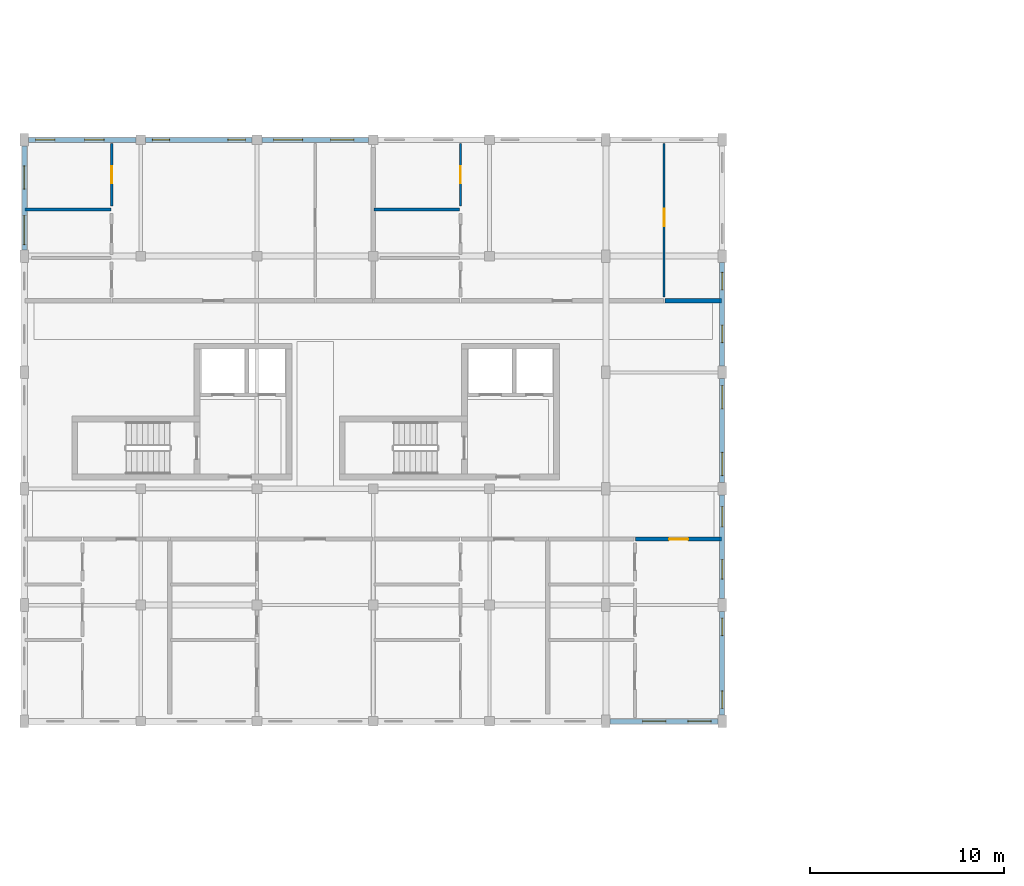
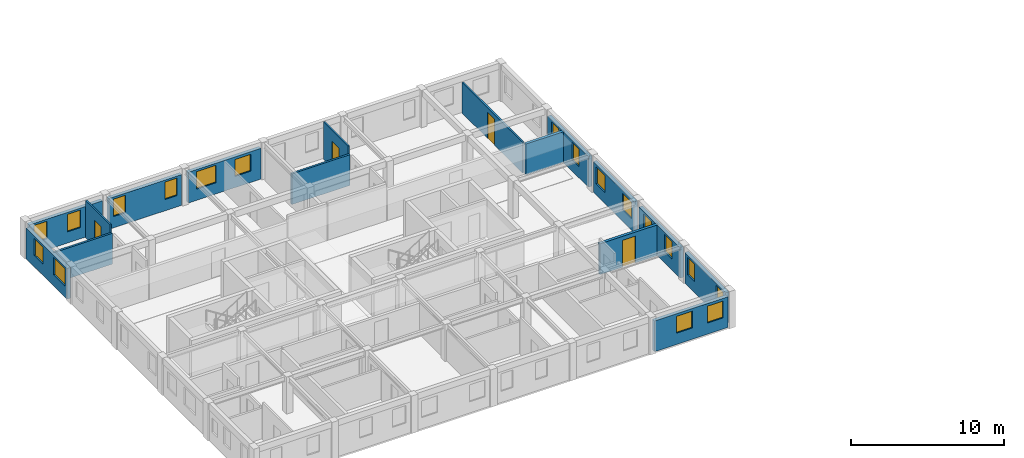
# One storey, part 7 of 23: 18 windows, 16 walls, 4 doors, 22 openings.
"""IFC4 building model written with IfcOpenShell, lengths in metres."""

from ifc_helpers import new_model, si_unit, direction, frame, frame_2d, origin, place, context, subcontext, project, spatial, rectangle, extrude, material, layer, layer_set, type_object, element, fill, save


model = new_model("IFC4")

# Units and contexts
model_context = context("Model", 3, precision=1e-05, world=origin(), true_north=direction((0.0, 1.0)))
body_context = subcontext(model_context, "Body", "Model", "MODEL_VIEW")
ifc_project = project(units=[si_unit("LENGTHUNIT", "METRE"), si_unit("AREAUNIT", "SQUARE_METRE"), si_unit("VOLUMEUNIT", "CUBIC_METRE"), si_unit("PLANEANGLEUNIT", "RADIAN"), si_unit("MASSUNIT", "GRAM", prefix="KILO"), si_unit("POWERUNIT", "WATT"), si_unit("THERMODYNAMICTEMPERATUREUNIT", "KELVIN")], contexts=[model_context])

# Site, building, storey
site_placement = place(None, origin())
site = spatial("IfcSite", under=ifc_project, at=site_placement, CompositionType="ELEMENT")
building_placement = place(site_placement, origin())
building = spatial("IfcBuilding", under=site, at=building_placement, Name="Ruvembo Vaulted Housing Court", CompositionType="ELEMENT")
storey_placement = place(building_placement, frame((0.0, 0.0, 26.89990234375)))
storey = spatial("IfcBuildingStorey", under=building, at=storey_placement, Name="L08", CompositionType="ELEMENT", Elevation=26.89990234375)

# Wall, opening, door
ifc_material_1 = material(Name="Concrete Blockwork 210", Category="masonry")
ifc_layer_1 = layer(ifc_material_1, 0.2099609375, Name="Concrete Blockwork 210")
ifc_layer_set_1 = layer_set([ifc_layer_1], Name="Concrete Blockwork 210")
wall_type_1 = type_object("IfcWallType", Name="WL-CORR-210", PredefinedType="SOLIDWALL", material=ifc_layer_set_1)
wall_1_placement = place(storey_placement, frame((31.5400390625, 15.39990234375, 0.0), z_axis=(0.0, 0.0, 1.0), x_axis=(1.0, 0.0, 0.0)))
wall_1 = element("IfcWall", 1, at=wall_1_placement, inside=storey, type_object=wall_type_1, Name="L08 Flat A-L08-S4 Entrance WL-INT-L08-02042", PredefinedType="SOLIDWALL", context=body_context, shape_type="SweptSolid", body=[
    extrude(rectangle(XDim=4.419921875, YDim=0.2099609375, at=frame_2d((2.2099609375, 0.0))), origin(), (0.0, 0.0, 1.0), 2.462158203125),
])
opening_1_placement = place(wall_1_placement, frame((1.719970703125, 0.0, 0.0)))
opening_1 = element("IfcOpeningElement", 2, at=opening_1_placement, cuts=wall_1, Name="Opening FD2", PredefinedType="OPENING", context=body_context, shape_type="SweptSolid", body=[
    extrude(rectangle(XDim=0.97998046875, YDim=2.14990234375, at=frame_2d((0.489990234375, 1.074951171875))), frame((0.0, 0.114990234375, 0.0), z_axis=(0.0, -1.0, 0.0), x_axis=(1.0, 0.0, 0.0)), (0.0, 0.0, 1.0), 0.22998046875),
])
ifc_material_2 = material(Name="FSC Hardwood and Engineered Timber", Category="wood")
door_type_1 = type_object("IfcDoorType", Name="DR-FLAT-0980x2150", OperationType="NOTDEFINED", PredefinedType="DOOR", material=ifc_material_2)
door_1_placement = place(opening_1_placement, origin())
door_1 = element("IfcDoor", 3, at=door_1_placement, inside=storey, type_object=door_type_1, Name="L08 Flat A-L08-S4 Entrance Door DR-INT-L08-01141", OperationType="SINGLE_SWING_LEFT", OverallHeight=2.14990234375, OverallWidth=0.97998046875, PredefinedType="DOOR", context=body_context, shape_type="SweptSolid", body=[
    extrude(rectangle(XDim=0.97998046875, YDim=2.14990234375, at=frame_2d((0.489990234375, 1.074951171875))), frame((0.0, 0.02490234375, 0.0), z_axis=(0.0, -1.0, 0.0), x_axis=(1.0, 0.0, 0.0)), (0.0, 0.0, 1.0), 0.050048828125),
])
fill(opening_1, door_1)

# Wall
wall_2_placement = place(storey_placement, frame((33.0400390625, 27.699951171875, 0.0), z_axis=(0.0, 0.0, 1.0), x_axis=(1.0, 0.0, 0.0)))
element("IfcWall", 4, at=wall_2_placement, inside=storey, type_object=wall_type_1, Name="L08 Flat A-L08-N2 Corridor Wall 2 WL-INT-L08-02065", PredefinedType="SOLIDWALL", context=body_context, shape_type="SweptSolid", body=[
    extrude(rectangle(XDim=2.919921875, YDim=0.2099609375, at=frame_2d((1.4599609375, 0.0))), origin(), (0.0, 0.0, 1.0), 2.462158203125),
])

# Wall, openings, windows
ifc_material_3 = material(Name="Rendered Masonry 260", Category="masonry")
ifc_layer_2 = layer(ifc_material_3, 0.260009765625, Name="Rendered Masonry 260")
ifc_layer_set_2 = layer_set([ifc_layer_2], Name="Rendered Masonry 260")
wall_type_2 = type_object("IfcWallType", Name="WL-EXT-260", PredefinedType="STANDARD", material=ifc_layer_set_2)
wall_3_placement = place(storey_placement, frame((30.22509765625, 6.0, 0.0), z_axis=(0.0, 0.0, 1.0), x_axis=(1.0, 0.0, 0.0)))
wall_3 = element("IfcWall", 5, at=wall_3_placement, inside=storey, type_object=wall_type_2, Name="Block A L08 Exterior Wall STREET #6", PredefinedType="STANDARD", context=body_context, shape_type="SweptSolid", body=[
    extrude(rectangle(XDim=5.5498046875, YDim=0.260009765625, at=frame_2d((2.77490234375, 0.0))), origin(), (0.0, 0.0, 1.0), 2.462158203125),
])
opening_2_placement = place(wall_3_placement, frame((1.6650390625, 0.0, 0.89990234375)))
opening_2 = element("IfcOpeningElement", 6, at=opening_2_placement, cuts=wall_3, Name="Opening W12", PredefinedType="OPENING", context=body_context, shape_type="SweptSolid", body=[
    extrude(rectangle(XDim=1.199951171875, YDim=1.35009765625, at=frame_2d((0.60009765625, 0.675048828125))), frame((0.0, 0.139892578125, 0.0), z_axis=(0.0, -1.0, 0.0), x_axis=(1.0, 0.0, 0.0)), (0.0, 0.0, 1.0), 0.280029296875),
])
opening_3_placement = place(wall_3_placement, frame((4.0, 0.0, 0.89990234375)))
opening_3 = element("IfcOpeningElement", 7, at=opening_3_placement, cuts=wall_3, Name="Opening W12", PredefinedType="OPENING", context=body_context, shape_type="SweptSolid", body=[
    extrude(rectangle(XDim=1.199951171875, YDim=1.35009765625, at=frame_2d((0.60009765625, 0.675048828125))), frame((0.0, 0.139892578125, 0.0), z_axis=(0.0, -1.0, 0.0), x_axis=(1.0, 0.0, 0.0)), (0.0, 0.0, 1.0), 0.280029296875),
])
ifc_material_4 = material(Name="Double Solar-Control Glazing in Aluminium Frame", Category="aluminium")
window_type_1 = type_object("IfcWindowType", Name="WIN-1200x1350", PartitioningType="SINGLE_PANEL", PredefinedType="WINDOW", material=ifc_material_4)
window_1_placement = place(opening_2_placement, origin())
window_1 = element("IfcWindow", 8, at=window_1_placement, inside=storey, type_object=window_type_1, Name="Block A L08 Window #352", OverallHeight=1.35009765625, OverallWidth=1.199951171875, PartitioningType="SINGLE_PANEL", PredefinedType="WINDOW", context=body_context, shape_type="SweptSolid", body=[
    extrude(rectangle(XDim=1.199951171875, YDim=1.35009765625, at=frame_2d((0.60009765625, 0.675048828125))), frame((0.0, 0.030029296875, 0.0), z_axis=(0.0, -1.0, 0.0), x_axis=(1.0, 0.0, 0.0)), (0.0, 0.0, 1.0), 0.06005859375),
])
fill(opening_2, window_1)
window_2_placement = place(opening_3_placement, origin())
window_2 = element("IfcWindow", 9, at=window_2_placement, inside=storey, type_object=window_type_1, Name="Block A L08 Window #353", OverallHeight=1.35009765625, OverallWidth=1.199951171875, PartitioningType="SINGLE_PANEL", PredefinedType="WINDOW", context=body_context, shape_type="SweptSolid", body=[
    extrude(rectangle(XDim=1.199951171875, YDim=1.35009765625, at=frame_2d((0.60009765625, 0.675048828125))), frame((0.0, 0.030029296875, 0.0), z_axis=(0.0, -1.0, 0.0), x_axis=(1.0, 0.0, 0.0)), (0.0, 0.0, 1.0), 0.06005859375),
])
fill(opening_3, window_2)

wall_4_placement = place(storey_placement, frame((36.0, 6.324951171875, 0.0), z_axis=(0.0, 0.0, 1.0), x_axis=(0.0, 1.0, 0.0)))
wall_4 = element("IfcWall", 10, at=wall_4_placement, inside=storey, type_object=wall_type_2, Name="Block A L08 Exterior Wall EAST #1", PredefinedType="STANDARD", context=body_context, shape_type="SweptSolid", body=[
    extrude(rectangle(XDim=5.35009765625, YDim=0.260009765625, at=frame_2d((2.675048828125, 0.0))), origin(), (0.0, 0.0, 1.0), 2.462158203125),
])
opening_4_placement = place(wall_4_placement, frame((0.35009765625, 0.0, 0.89990234375)))
opening_4 = element("IfcOpeningElement", 11, at=opening_4_placement, cuts=wall_4, Name="Opening W05", PredefinedType="OPENING", context=body_context, shape_type="SweptSolid", body=[
    extrude(rectangle(XDim=0.89990234375, YDim=1.39990234375, at=frame_2d((0.449951171875, 0.699951171875))), frame((0.0, 0.139892578125, 0.0), z_axis=(0.0, -1.0, 0.0), x_axis=(1.0, 0.0, 0.0)), (0.0, 0.0, 1.0), 0.280029296875),
])
opening_5_placement = place(wall_4_placement, frame((4.10009765625, 0.0, 0.89990234375)))
opening_5 = element("IfcOpeningElement", 12, at=opening_5_placement, cuts=wall_4, Name="Opening W05", PredefinedType="OPENING", context=body_context, shape_type="SweptSolid", body=[
    extrude(rectangle(XDim=0.89990234375, YDim=1.39990234375, at=frame_2d((0.449951171875, 0.699951171875))), frame((0.0, 0.139892578125, 0.0), z_axis=(0.0, -1.0, 0.0), x_axis=(1.0, 0.0, 0.0)), (0.0, 0.0, 1.0), 0.280029296875),
])
window_type_2 = type_object("IfcWindowType", Name="WIN-0900x1400", PartitioningType="SINGLE_PANEL", PredefinedType="WINDOW", material=ifc_material_4)
window_3_placement = place(opening_4_placement, origin())
window_3 = element("IfcWindow", 13, at=window_3_placement, inside=storey, type_object=window_type_2, Name="Block A L08 Window #354", OverallHeight=1.39990234375, OverallWidth=0.89990234375, PartitioningType="SINGLE_PANEL", PredefinedType="WINDOW", context=body_context, shape_type="SweptSolid", body=[
    extrude(rectangle(XDim=0.89990234375, YDim=1.39990234375, at=frame_2d((0.449951171875, 0.699951171875))), frame((0.0, 0.030029296875, 0.0), z_axis=(0.0, -1.0, 0.0), x_axis=(1.0, 0.0, 0.0)), (0.0, 0.0, 1.0), 0.06005859375),
])
fill(opening_4, window_3)
window_4_placement = place(opening_5_placement, origin())
window_4 = element("IfcWindow", 14, at=window_4_placement, inside=storey, type_object=window_type_2, Name="Block A L08 Window #355", OverallHeight=1.39990234375, OverallWidth=0.89990234375, PartitioningType="SINGLE_PANEL", PredefinedType="WINDOW", context=body_context, shape_type="SweptSolid", body=[
    extrude(rectangle(XDim=0.89990234375, YDim=1.39990234375, at=frame_2d((0.449951171875, 0.699951171875))), frame((0.0, 0.030029296875, 0.0), z_axis=(0.0, -1.0, 0.0), x_axis=(1.0, 0.0, 0.0)), (0.0, 0.0, 1.0), 0.06005859375),
])
fill(opening_5, window_4)

wall_5_placement = place(storey_placement, frame((36.0, 12.324951171875, 0.0), z_axis=(0.0, 0.0, 1.0), x_axis=(0.0, 1.0, 0.0)))
wall_5 = element("IfcWall", 15, at=wall_5_placement, inside=storey, type_object=wall_type_2, Name="Block A L08 Exterior Wall EAST #2", PredefinedType="STANDARD", context=body_context, shape_type="SweptSolid", body=[
    extrude(rectangle(XDim=5.35009765625, YDim=0.260009765625, at=frame_2d((2.675048828125, 0.0))), origin(), (0.0, 0.0, 1.0), 2.462158203125),
])
opening_6_placement = place(wall_5_placement, frame((1.017578125, 0.0, 0.89990234375)))
opening_6 = element("IfcOpeningElement", 16, at=opening_6_placement, cuts=wall_5, Name="Opening W08", PredefinedType="OPENING", context=body_context, shape_type="SweptSolid", body=[
    extrude(rectangle(XDim=1.0, YDim=1.39990234375, at=frame_2d((0.5, 0.699951171875))), frame((0.0, 0.139892578125, 0.0), z_axis=(0.0, -1.0, 0.0), x_axis=(1.0, 0.0, 0.0)), (0.0, 0.0, 1.0), 0.280029296875),
])
opening_7_placement = place(wall_5_placement, frame((3.70751953125, 0.0, 0.89990234375)))
opening_7 = element("IfcOpeningElement", 17, at=opening_7_placement, cuts=wall_5, Name="Opening W09", PredefinedType="OPENING", context=body_context, shape_type="SweptSolid", body=[
    extrude(rectangle(XDim=1.050048828125, YDim=1.35009765625, at=frame_2d((0.52490234375, 0.675048828125))), frame((0.0, 0.139892578125, 0.0), z_axis=(0.0, -1.0, 0.0), x_axis=(1.0, 0.0, 0.0)), (0.0, 0.0, 1.0), 0.280029296875),
])
window_type_3 = type_object("IfcWindowType", Name="WIN-1000x1400", PartitioningType="SINGLE_PANEL", PredefinedType="WINDOW", material=ifc_material_4)
window_5_placement = place(opening_6_placement, origin())
window_5 = element("IfcWindow", 18, at=window_5_placement, inside=storey, type_object=window_type_3, Name="Block A L08 Window #356", OverallHeight=1.39990234375, OverallWidth=1.0, PartitioningType="SINGLE_PANEL", PredefinedType="WINDOW", context=body_context, shape_type="SweptSolid", body=[
    extrude(rectangle(XDim=1.0, YDim=1.39990234375, at=frame_2d((0.5, 0.699951171875))), frame((0.0, 0.030029296875, 0.0), z_axis=(0.0, -1.0, 0.0), x_axis=(1.0, 0.0, 0.0)), (0.0, 0.0, 1.0), 0.06005859375),
])
fill(opening_6, window_5)
window_type_4 = type_object("IfcWindowType", Name="WIN-1050x1350", PartitioningType="SINGLE_PANEL", PredefinedType="WINDOW", material=ifc_material_4)
window_6_placement = place(opening_7_placement, origin())
window_6 = element("IfcWindow", 19, at=window_6_placement, inside=storey, type_object=window_type_4, Name="Block A L08 Window #357", OverallHeight=1.35009765625, OverallWidth=1.050048828125, PartitioningType="SINGLE_PANEL", PredefinedType="WINDOW", context=body_context, shape_type="SweptSolid", body=[
    extrude(rectangle(XDim=1.050048828125, YDim=1.35009765625, at=frame_2d((0.52490234375, 0.675048828125))), frame((0.0, 0.030029296875, 0.0), z_axis=(0.0, -1.0, 0.0), x_axis=(1.0, 0.0, 0.0)), (0.0, 0.0, 1.0), 0.06005859375),
])
fill(opening_7, window_6)

wall_6_placement = place(storey_placement, frame((36.0, 18.324951171875, 0.0), z_axis=(0.0, 0.0, 1.0), x_axis=(0.0, 1.0, 0.0)))
wall_6 = element("IfcWall", 20, at=wall_6_placement, inside=storey, type_object=wall_type_2, Name="Block A L08 Exterior Wall EAST #3", PredefinedType="STANDARD", context=body_context, shape_type="SweptSolid", body=[
    extrude(rectangle(XDim=5.35009765625, YDim=0.260009765625, at=frame_2d((2.675048828125, 0.0))), origin(), (0.0, 0.0, 1.0), 2.462158203125),
])
opening_8_placement = place(wall_6_placement, frame((0.35009765625, 0.0, 0.89990234375)))
opening_8 = element("IfcOpeningElement", 21, at=opening_8_placement, cuts=wall_6, Name="Opening W12", PredefinedType="OPENING", context=body_context, shape_type="SweptSolid", body=[
    extrude(rectangle(XDim=1.199951171875, YDim=1.35009765625, at=frame_2d((0.60009765625, 0.675048828125))), frame((0.0, 0.139892578125, 0.0), z_axis=(0.0, -1.0, 0.0), x_axis=(1.0, 0.0, 0.0)), (0.0, 0.0, 1.0), 0.280029296875),
])
opening_9_placement = place(wall_6_placement, frame((3.800048828125, 0.0, 0.89990234375)))
opening_9 = element("IfcOpeningElement", 22, at=opening_9_placement, cuts=wall_6, Name="Opening W12", PredefinedType="OPENING", context=body_context, shape_type="SweptSolid", body=[
    extrude(rectangle(XDim=1.199951171875, YDim=1.35009765625, at=frame_2d((0.60009765625, 0.675048828125))), frame((0.0, 0.139892578125, 0.0), z_axis=(0.0, -1.0, 0.0), x_axis=(1.0, 0.0, 0.0)), (0.0, 0.0, 1.0), 0.280029296875),
])
window_7_placement = place(opening_8_placement, origin())
window_7 = element("IfcWindow", 23, at=window_7_placement, inside=storey, type_object=window_type_1, Name="Block A L08 Window #358", OverallHeight=1.35009765625, OverallWidth=1.199951171875, PartitioningType="SINGLE_PANEL", PredefinedType="WINDOW", context=body_context, shape_type="SweptSolid", body=[
    extrude(rectangle(XDim=1.199951171875, YDim=1.35009765625, at=frame_2d((0.60009765625, 0.675048828125))), frame((0.0, 0.030029296875, 0.0), z_axis=(0.0, -1.0, 0.0), x_axis=(1.0, 0.0, 0.0)), (0.0, 0.0, 1.0), 0.06005859375),
])
fill(opening_8, window_7)
window_8_placement = place(opening_9_placement, origin())
window_8 = element("IfcWindow", 24, at=window_8_placement, inside=storey, type_object=window_type_1, Name="Block A L08 Window #359", OverallHeight=1.35009765625, OverallWidth=1.199951171875, PartitioningType="SINGLE_PANEL", PredefinedType="WINDOW", context=body_context, shape_type="SweptSolid", body=[
    extrude(rectangle(XDim=1.199951171875, YDim=1.35009765625, at=frame_2d((0.60009765625, 0.675048828125))), frame((0.0, 0.030029296875, 0.0), z_axis=(0.0, -1.0, 0.0), x_axis=(1.0, 0.0, 0.0)), (0.0, 0.0, 1.0), 0.06005859375),
])
fill(opening_9, window_8)

wall_7_placement = place(storey_placement, frame((36.0, 24.324951171875, 0.0), z_axis=(0.0, 0.0, 1.0), x_axis=(0.0, 1.0, 0.0)))
wall_7 = element("IfcWall", 25, at=wall_7_placement, inside=storey, type_object=wall_type_2, Name="Block A L08 Exterior Wall EAST #4", PredefinedType="STANDARD", context=body_context, shape_type="SweptSolid", body=[
    extrude(rectangle(XDim=5.35009765625, YDim=0.260009765625, at=frame_2d((2.675048828125, 0.0))), origin(), (0.0, 0.0, 1.0), 2.462158203125),
])
opening_10_placement = place(wall_7_placement, frame((1.217529296875, 0.0, 0.89990234375)))
opening_10 = element("IfcOpeningElement", 26, at=opening_10_placement, cuts=wall_7, Name="Opening W05", PredefinedType="OPENING", context=body_context, shape_type="SweptSolid", body=[
    extrude(rectangle(XDim=0.89990234375, YDim=1.39990234375, at=frame_2d((0.449951171875, 0.699951171875))), frame((0.0, 0.139892578125, 0.0), z_axis=(0.0, -1.0, 0.0), x_axis=(1.0, 0.0, 0.0)), (0.0, 0.0, 1.0), 0.280029296875),
])
opening_11_placement = place(wall_7_placement, frame((3.9326171875, 0.0, 0.89990234375)))
opening_11 = element("IfcOpeningElement", 27, at=opening_11_placement, cuts=wall_7, Name="Opening W05", PredefinedType="OPENING", context=body_context, shape_type="SweptSolid", body=[
    extrude(rectangle(XDim=0.89990234375, YDim=1.39990234375, at=frame_2d((0.449951171875, 0.699951171875))), frame((0.0, 0.139892578125, 0.0), z_axis=(0.0, -1.0, 0.0), x_axis=(1.0, 0.0, 0.0)), (0.0, 0.0, 1.0), 0.280029296875),
])
window_9_placement = place(opening_10_placement, origin())
window_9 = element("IfcWindow", 28, at=window_9_placement, inside=storey, type_object=window_type_2, Name="Block A L08 Window #360", OverallHeight=1.39990234375, OverallWidth=0.89990234375, PartitioningType="SINGLE_PANEL", PredefinedType="WINDOW", context=body_context, shape_type="SweptSolid", body=[
    extrude(rectangle(XDim=0.89990234375, YDim=1.39990234375, at=frame_2d((0.449951171875, 0.699951171875))), frame((0.0, 0.030029296875, 0.0), z_axis=(0.0, -1.0, 0.0), x_axis=(1.0, 0.0, 0.0)), (0.0, 0.0, 1.0), 0.06005859375),
])
fill(opening_10, window_9)
window_10_placement = place(opening_11_placement, origin())
window_10 = element("IfcWindow", 29, at=window_10_placement, inside=storey, type_object=window_type_2, Name="Block A L08 Window #361", OverallHeight=1.39990234375, OverallWidth=0.89990234375, PartitioningType="SINGLE_PANEL", PredefinedType="WINDOW", context=body_context, shape_type="SweptSolid", body=[
    extrude(rectangle(XDim=0.89990234375, YDim=1.39990234375, at=frame_2d((0.449951171875, 0.699951171875))), frame((0.0, 0.030029296875, 0.0), z_axis=(0.0, -1.0, 0.0), x_axis=(1.0, 0.0, 0.0)), (0.0, 0.0, 1.0), 0.06005859375),
])
fill(opening_11, window_10)

wall_8_placement = place(storey_placement, frame((17.75, 36.0, 0.0), z_axis=(0.0, 0.0, 1.0), x_axis=(-1.0, 0.0, 0.0)))
wall_8 = element("IfcWall", 30, at=wall_8_placement, inside=storey, type_object=wall_type_2, Name="Block A L08 Exterior Wall COURTYARD #4", PredefinedType="STANDARD", context=body_context, shape_type="SweptSolid", body=[
    extrude(rectangle(XDim=5.5, YDim=0.260009765625, at=frame_2d((2.75, 0.0))), origin(), (0.0, 0.0, 1.0), 2.462158203125),
])
opening_12_placement = place(wall_8_placement, frame((0.7548828125, 0.0, 0.89990234375)))
opening_12 = element("IfcOpeningElement", 31, at=opening_12_placement, cuts=wall_8, Name="Opening W12", PredefinedType="OPENING", context=body_context, shape_type="SweptSolid", body=[
    extrude(rectangle(XDim=1.199951171875, YDim=1.35009765625, at=frame_2d((0.60009765625, 0.675048828125))), frame((0.0, 0.139892578125, 0.0), z_axis=(0.0, -1.0, 0.0), x_axis=(1.0, 0.0, 0.0)), (0.0, 0.0, 1.0), 0.280029296875),
])
opening_13_placement = place(wall_8_placement, frame((3.39501953125, 0.0, 0.89990234375)))
opening_13 = element("IfcOpeningElement", 32, at=opening_13_placement, cuts=wall_8, Name="Opening W18", PredefinedType="OPENING", context=body_context, shape_type="SweptSolid", body=[
    extrude(rectangle(XDim=1.5, YDim=1.39990234375, at=frame_2d((0.75, 0.699951171875))), frame((0.0, 0.139892578125, 0.0), z_axis=(0.0, -1.0, 0.0), x_axis=(1.0, 0.0, 0.0)), (0.0, 0.0, 1.0), 0.280029296875),
])
window_11_placement = place(opening_12_placement, origin())
window_11 = element("IfcWindow", 33, at=window_11_placement, inside=storey, type_object=window_type_1, Name="Block A L08 Window #370", OverallHeight=1.35009765625, OverallWidth=1.199951171875, PartitioningType="SINGLE_PANEL", PredefinedType="WINDOW", context=body_context, shape_type="SweptSolid", body=[
    extrude(rectangle(XDim=1.199951171875, YDim=1.35009765625, at=frame_2d((0.60009765625, 0.675048828125))), frame((0.0, 0.030029296875, 0.0), z_axis=(0.0, -1.0, 0.0), x_axis=(1.0, 0.0, 0.0)), (0.0, 0.0, 1.0), 0.06005859375),
])
fill(opening_12, window_11)
window_type_5 = type_object("IfcWindowType", Name="WIN-1500x1400", PartitioningType="SINGLE_PANEL", PredefinedType="WINDOW", material=ifc_material_4)
window_12_placement = place(opening_13_placement, origin())
window_12 = element("IfcWindow", 34, at=window_12_placement, inside=storey, type_object=window_type_5, Name="Block A L08 Window #371", OverallHeight=1.39990234375, OverallWidth=1.5, PartitioningType="SINGLE_PANEL", PredefinedType="WINDOW", context=body_context, shape_type="SweptSolid", body=[
    extrude(rectangle(XDim=1.5, YDim=1.39990234375, at=frame_2d((0.75, 0.699951171875))), frame((0.0, 0.030029296875, 0.0), z_axis=(0.0, -1.0, 0.0), x_axis=(1.0, 0.0, 0.0)), (0.0, 0.0, 1.0), 0.06005859375),
])
fill(opening_13, window_12)

wall_9_placement = place(storey_placement, frame((11.75, 36.0, 0.0), z_axis=(0.0, 0.0, 1.0), x_axis=(-1.0, 0.0, 0.0)))
wall_9 = element("IfcWall", 35, at=wall_9_placement, inside=storey, type_object=wall_type_2, Name="Block A L08 Exterior Wall COURTYARD #5", PredefinedType="STANDARD", context=body_context, shape_type="SweptSolid", body=[
    extrude(rectangle(XDim=5.5, YDim=0.260009765625, at=frame_2d((2.75, 0.0))), origin(), (0.0, 0.0, 1.0), 2.462158203125),
])
opening_14_placement = place(wall_9_placement, frame((0.35009765625, 0.0, 0.89990234375)))
opening_14 = element("IfcOpeningElement", 36, at=opening_14_placement, cuts=wall_9, Name="Opening W05", PredefinedType="OPENING", context=body_context, shape_type="SweptSolid", body=[
    extrude(rectangle(XDim=0.89990234375, YDim=1.39990234375, at=frame_2d((0.449951171875, 0.699951171875))), frame((0.0, 0.139892578125, 0.0), z_axis=(0.0, -1.0, 0.0), x_axis=(1.0, 0.0, 0.0)), (0.0, 0.0, 1.0), 0.280029296875),
])
opening_15_placement = place(wall_9_placement, frame((4.25, 0.0, 0.89990234375)))
opening_15 = element("IfcOpeningElement", 37, at=opening_15_placement, cuts=wall_9, Name="Opening W05", PredefinedType="OPENING", context=body_context, shape_type="SweptSolid", body=[
    extrude(rectangle(XDim=0.89990234375, YDim=1.39990234375, at=frame_2d((0.449951171875, 0.699951171875))), frame((0.0, 0.139892578125, 0.0), z_axis=(0.0, -1.0, 0.0), x_axis=(1.0, 0.0, 0.0)), (0.0, 0.0, 1.0), 0.280029296875),
])
window_13_placement = place(opening_14_placement, origin())
window_13 = element("IfcWindow", 38, at=window_13_placement, inside=storey, type_object=window_type_2, Name="Block A L08 Window #372", OverallHeight=1.39990234375, OverallWidth=0.89990234375, PartitioningType="SINGLE_PANEL", PredefinedType="WINDOW", context=body_context, shape_type="SweptSolid", body=[
    extrude(rectangle(XDim=0.89990234375, YDim=1.39990234375, at=frame_2d((0.449951171875, 0.699951171875))), frame((0.0, 0.030029296875, 0.0), z_axis=(0.0, -1.0, 0.0), x_axis=(1.0, 0.0, 0.0)), (0.0, 0.0, 1.0), 0.06005859375),
])
fill(opening_14, window_13)
window_14_placement = place(opening_15_placement, origin())
window_14 = element("IfcWindow", 39, at=window_14_placement, inside=storey, type_object=window_type_2, Name="Block A L08 Window #373", OverallHeight=1.39990234375, OverallWidth=0.89990234375, PartitioningType="SINGLE_PANEL", PredefinedType="WINDOW", context=body_context, shape_type="SweptSolid", body=[
    extrude(rectangle(XDim=0.89990234375, YDim=1.39990234375, at=frame_2d((0.449951171875, 0.699951171875))), frame((0.0, 0.030029296875, 0.0), z_axis=(0.0, -1.0, 0.0), x_axis=(1.0, 0.0, 0.0)), (0.0, 0.0, 1.0), 0.06005859375),
])
fill(opening_15, window_14)

wall_10_placement = place(storey_placement, frame((5.75, 36.0, 0.0), z_axis=(0.0, 0.0, 1.0), x_axis=(-1.0, 0.0, 0.0)))
wall_10 = element("IfcWall", 40, at=wall_10_placement, inside=storey, type_object=wall_type_2, Name="Block A L08 Exterior Wall COURTYARD #6", PredefinedType="STANDARD", context=body_context, shape_type="SweptSolid", body=[
    extrude(rectangle(XDim=5.52490234375, YDim=0.260009765625, at=frame_2d((2.762451171875, 0.0))), origin(), (0.0, 0.0, 1.0), 2.462158203125),
])
opening_16_placement = place(wall_10_placement, frame((1.639892578125, 0.0, 0.89990234375)))
opening_16 = element("IfcOpeningElement", 41, at=opening_16_placement, cuts=wall_10, Name="Opening W08", PredefinedType="OPENING", context=body_context, shape_type="SweptSolid", body=[
    extrude(rectangle(XDim=1.0, YDim=1.39990234375, at=frame_2d((0.5, 0.699951171875))), frame((0.0, 0.139892578125, 0.0), z_axis=(0.0, -1.0, 0.0), x_axis=(1.0, 0.0, 0.0)), (0.0, 0.0, 1.0), 0.280029296875),
])
opening_17_placement = place(wall_10_placement, frame((4.175048828125, 0.0, 0.89990234375)))
opening_17 = element("IfcOpeningElement", 42, at=opening_17_placement, cuts=wall_10, Name="Opening W08", PredefinedType="OPENING", context=body_context, shape_type="SweptSolid", body=[
    extrude(rectangle(XDim=1.0, YDim=1.39990234375, at=frame_2d((0.5, 0.699951171875))), frame((0.0, 0.139892578125, 0.0), z_axis=(0.0, -1.0, 0.0), x_axis=(1.0, 0.0, 0.0)), (0.0, 0.0, 1.0), 0.280029296875),
])
window_15_placement = place(opening_16_placement, origin())
window_15 = element("IfcWindow", 43, at=window_15_placement, inside=storey, type_object=window_type_3, Name="Block A L08 Window #374", OverallHeight=1.39990234375, OverallWidth=1.0, PartitioningType="SINGLE_PANEL", PredefinedType="WINDOW", context=body_context, shape_type="SweptSolid", body=[
    extrude(rectangle(XDim=1.0, YDim=1.39990234375, at=frame_2d((0.5, 0.699951171875))), frame((0.0, 0.030029296875, 0.0), z_axis=(0.0, -1.0, 0.0), x_axis=(1.0, 0.0, 0.0)), (0.0, 0.0, 1.0), 0.06005859375),
])
fill(opening_16, window_15)
window_16_placement = place(opening_17_placement, origin())
window_16 = element("IfcWindow", 44, at=window_16_placement, inside=storey, type_object=window_type_3, Name="Block A L08 Window #375", OverallHeight=1.39990234375, OverallWidth=1.0, PartitioningType="SINGLE_PANEL", PredefinedType="WINDOW", context=body_context, shape_type="SweptSolid", body=[
    extrude(rectangle(XDim=1.0, YDim=1.39990234375, at=frame_2d((0.5, 0.699951171875))), frame((0.0, 0.030029296875, 0.0), z_axis=(0.0, -1.0, 0.0), x_axis=(1.0, 0.0, 0.0)), (0.0, 0.0, 1.0), 0.06005859375),
])
fill(opening_17, window_16)

wall_11_placement = place(storey_placement, frame((0.0, 35.675048828125, 0.0), z_axis=(0.0, 0.0, 1.0), x_axis=(0.0, -1.0, 0.0)))
wall_11 = element("IfcWall", 45, at=wall_11_placement, inside=storey, type_object=wall_type_2, Name="Block A L08 Exterior Wall WEST #1", PredefinedType="STANDARD", context=body_context, shape_type="SweptSolid", body=[
    extrude(rectangle(XDim=5.35009765625, YDim=0.260009765625, at=frame_2d((2.675048828125, 0.0))), origin(), (0.0, 0.0, 1.0), 2.462158203125),
])
opening_18_placement = place(wall_11_placement, frame((1.017578125, 0.0, 0.89990234375)))
opening_18 = element("IfcOpeningElement", 46, at=opening_18_placement, cuts=wall_11, Name="Opening W12", PredefinedType="OPENING", context=body_context, shape_type="SweptSolid", body=[
    extrude(rectangle(XDim=1.199951171875, YDim=1.35009765625, at=frame_2d((0.60009765625, 0.675048828125))), frame((0.0, 0.139892578125, 0.0), z_axis=(0.0, -1.0, 0.0), x_axis=(1.0, 0.0, 0.0)), (0.0, 0.0, 1.0), 0.280029296875),
])
opening_19_placement = place(wall_11_placement, frame((3.58251953125, 0.0, 0.89990234375)))
opening_19 = element("IfcOpeningElement", 47, at=opening_19_placement, cuts=wall_11, Name="Opening W18", PredefinedType="OPENING", context=body_context, shape_type="SweptSolid", body=[
    extrude(rectangle(XDim=1.5, YDim=1.39990234375, at=frame_2d((0.75, 0.699951171875))), frame((0.0, 0.139892578125, 0.0), z_axis=(0.0, -1.0, 0.0), x_axis=(1.0, 0.0, 0.0)), (0.0, 0.0, 1.0), 0.280029296875),
])
window_17_placement = place(opening_18_placement, origin())
window_17 = element("IfcWindow", 48, at=window_17_placement, inside=storey, type_object=window_type_1, Name="Block A L08 Window #376", OverallHeight=1.35009765625, OverallWidth=1.199951171875, PartitioningType="SINGLE_PANEL", PredefinedType="WINDOW", context=body_context, shape_type="SweptSolid", body=[
    extrude(rectangle(XDim=1.199951171875, YDim=1.35009765625, at=frame_2d((0.60009765625, 0.675048828125))), frame((0.0, 0.030029296875, 0.0), z_axis=(0.0, -1.0, 0.0), x_axis=(1.0, 0.0, 0.0)), (0.0, 0.0, 1.0), 0.06005859375),
])
fill(opening_18, window_17)
window_18_placement = place(opening_19_placement, origin())
window_18 = element("IfcWindow", 49, at=window_18_placement, inside=storey, type_object=window_type_5, Name="Block A L08 Window #377", OverallHeight=1.39990234375, OverallWidth=1.5, PartitioningType="SINGLE_PANEL", PredefinedType="WINDOW", context=body_context, shape_type="SweptSolid", body=[
    extrude(rectangle(XDim=1.5, YDim=1.39990234375, at=frame_2d((0.75, 0.699951171875))), frame((0.0, 0.030029296875, 0.0), z_axis=(0.0, -1.0, 0.0), x_axis=(1.0, 0.0, 0.0)), (0.0, 0.0, 1.0), 0.06005859375),
])
fill(opening_19, window_18)

# Wall, opening, door
ifc_material_5 = material(Name="Plasterboard Stud Partition 125", Category="gypsum")
ifc_layer_3 = layer(ifc_material_5, 0.125, Name="Plasterboard Stud Partition 125")
ifc_layer_set_3 = layer_set([ifc_layer_3], Name="Plasterboard Stud Partition 125")
wall_type_3 = type_object("IfcWallType", Name="WL-PART-125", PredefinedType="PARTITIONING", material=ifc_layer_set_3)
wall_12_placement = place(storey_placement, frame((4.5, 32.590087890625, 0.0), z_axis=(0.0, 0.0, 1.0), x_axis=(0.0, 1.0, 0.0)))
wall_12 = element("IfcWall", 50, at=wall_12_placement, inside=storey, type_object=wall_type_3, Name="L08 Flat A-L08-N1 Bedroom 1 WL-INT-L08-02051", PredefinedType="PARTITIONING", context=body_context, shape_type="SweptSolid", body=[
    extrude(rectangle(XDim=3.219970703125, YDim=0.125, at=frame_2d((1.60986328125, 0.0))), origin(), (0.0, 0.0, 1.0), 2.97998046875),
])
opening_20_placement = place(wall_12_placement, frame((1.159912109375, 0.0, 0.0)))
opening_20 = element("IfcOpeningElement", 51, at=opening_20_placement, cuts=wall_12, Name="Opening ID1", PredefinedType="OPENING", context=body_context, shape_type="SweptSolid", body=[
    extrude(rectangle(XDim=0.89990234375, YDim=2.10009765625, at=frame_2d((0.449951171875, 1.050048828125))), frame((0.0, 0.072509765625, 0.0), z_axis=(0.0, -1.0, 0.0), x_axis=(1.0, 0.0, 0.0)), (0.0, 0.0, 1.0), 0.14501953125),
])
door_type_2 = type_object("IfcDoorType", Name="DR-ROOM-0900x2100", OperationType="NOTDEFINED", PredefinedType="DOOR", material=ifc_material_2)
door_2_placement = place(opening_20_placement, origin())
door_2 = element("IfcDoor", 52, at=door_2_placement, inside=storey, type_object=door_type_2, Name="L08 Flat A-L08-N1 Bedroom 1 Door DR-INT-L08-01146", OperationType="SINGLE_SWING_RIGHT", OverallHeight=2.10009765625, OverallWidth=0.89990234375, PredefinedType="DOOR", context=body_context, shape_type="SweptSolid", body=[
    extrude(rectangle(XDim=0.89990234375, YDim=2.10009765625, at=frame_2d((0.449951171875, 1.050048828125))), frame((0.0, 0.02490234375, 0.0), z_axis=(0.0, -1.0, 0.0), x_axis=(1.0, 0.0, 0.0)), (0.0, 0.0, 1.0), 0.050048828125),
])
fill(opening_20, door_2)

wall_13_placement = place(storey_placement, frame((22.5, 32.590087890625, 0.0), z_axis=(0.0, 0.0, 1.0), x_axis=(0.0, 1.0, 0.0)))
wall_13 = element("IfcWall", 53, at=wall_13_placement, inside=storey, type_object=wall_type_3, Name="L08 Flat A-L08-N2 Bedroom 1 WL-INT-L08-02060", PredefinedType="PARTITIONING", context=body_context, shape_type="SweptSolid", body=[
    extrude(rectangle(XDim=3.219970703125, YDim=0.125, at=frame_2d((1.60986328125, 0.0))), origin(), (0.0, 0.0, 1.0), 2.97998046875),
])
opening_21_placement = place(wall_13_placement, frame((1.169921875, 0.0, 0.0)))
opening_21 = element("IfcOpeningElement", 54, at=opening_21_placement, cuts=wall_13, Name="Opening ID3", PredefinedType="OPENING", context=body_context, shape_type="SweptSolid", body=[
    extrude(rectangle(XDim=0.8798828125, YDim=2.10009765625, at=frame_2d((0.43994140625, 1.050048828125))), frame((0.0, 0.072509765625, 0.0), z_axis=(0.0, -1.0, 0.0), x_axis=(1.0, 0.0, 0.0)), (0.0, 0.0, 1.0), 0.14501953125),
])
door_type_3 = type_object("IfcDoorType", Name="DR-ROOM-0880x2100", OperationType="NOTDEFINED", PredefinedType="DOOR", material=ifc_material_2)
door_3_placement = place(opening_21_placement, origin())
door_3 = element("IfcDoor", 55, at=door_3_placement, inside=storey, type_object=door_type_3, Name="L08 Flat A-L08-N2 Bedroom 1 Door DR-INT-L08-01151", OperationType="SINGLE_SWING_LEFT", OverallHeight=2.10009765625, OverallWidth=0.8798828125, PredefinedType="DOOR", context=body_context, shape_type="SweptSolid", body=[
    extrude(rectangle(XDim=0.8798828125, YDim=2.10009765625, at=frame_2d((0.43994140625, 1.050048828125))), frame((0.0, 0.02490234375, 0.0), z_axis=(0.0, -1.0, 0.0), x_axis=(1.0, 0.0, 0.0)), (0.0, 0.0, 1.0), 0.050048828125),
])
fill(opening_21, door_3)

wall_14_placement = place(storey_placement, frame((33.0, 27.889892578125, 0.0), z_axis=(0.0, 0.0, 1.0), x_axis=(0.0, 1.0, 0.0)))
wall_14 = element("IfcWall", 56, at=wall_14_placement, inside=storey, type_object=wall_type_3, Name="L08 Flat A-L08-N2 Bedroom 2 WL-INT-L08-02066", PredefinedType="PARTITIONING", context=body_context, shape_type="SweptSolid", body=[
    extrude(rectangle(XDim=7.920166015625, YDim=0.125, at=frame_2d((3.9599609375, 0.0))), origin(), (0.0, 0.0, 1.0), 2.462158203125),
])
opening_22_placement = place(wall_14_placement, frame((3.64990234375, 0.0, 0.0)))
opening_22 = element("IfcOpeningElement", 57, at=opening_22_placement, cuts=wall_14, Name="Opening ID1", PredefinedType="OPENING", context=body_context, shape_type="SweptSolid", body=[
    extrude(rectangle(XDim=0.89990234375, YDim=2.10009765625, at=frame_2d((0.449951171875, 1.050048828125))), frame((0.0, 0.072509765625, 0.0), z_axis=(0.0, -1.0, 0.0), x_axis=(1.0, 0.0, 0.0)), (0.0, 0.0, 1.0), 0.14501953125),
])
door_4_placement = place(opening_22_placement, origin())
door_4 = element("IfcDoor", 58, at=door_4_placement, inside=storey, type_object=door_type_2, Name="L08 Flat A-L08-N2 Bedroom 2 Door DR-INT-L08-01154", OperationType="SINGLE_SWING_RIGHT", OverallHeight=2.10009765625, OverallWidth=0.89990234375, PredefinedType="DOOR", context=body_context, shape_type="SweptSolid", body=[
    extrude(rectangle(XDim=0.89990234375, YDim=2.10009765625, at=frame_2d((0.449951171875, 1.050048828125))), frame((0.0, 0.02490234375, 0.0), z_axis=(0.0, -1.0, 0.0), x_axis=(1.0, 0.0, 0.0)), (0.0, 0.0, 1.0), 0.050048828125),
])
fill(opening_22, door_4)

# Walls
ifc_material_6 = material(Name="Moisture-Resistant Wet Partition 150", Category="gypsum")
ifc_layer_4 = layer(ifc_material_6, 0.14990234375, Name="Moisture-Resistant Wet Partition 150")
ifc_layer_set_4 = layer_set([ifc_layer_4], Name="Moisture-Resistant Wet Partition 150")
wall_type_4 = type_object("IfcWallType", Name="WL-PART-150", PredefinedType="PARTITIONING", material=ifc_layer_set_4)
wall_15_placement = place(storey_placement, frame((0.0400390625, 32.39990234375, 0.0), z_axis=(0.0, 0.0, 1.0), x_axis=(1.0, 0.0, 0.0)))
element("IfcWall", 59, at=wall_15_placement, inside=storey, type_object=wall_type_4, Name="L08 Flat A-L08-N1 Wet Wall 1 WL-INT-L08-02054", PredefinedType="PARTITIONING", context=body_context, shape_type="SweptSolid", body=[
    extrude(rectangle(XDim=4.419921875, YDim=0.14990234375, at=frame_2d((2.2099609375, 0.0))), origin(), (0.0, 0.0, 1.0), 2.462158203125),
])
wall_16_placement = place(storey_placement, frame((18.0400390625, 32.39990234375, 0.0), z_axis=(0.0, 0.0, 1.0), x_axis=(1.0, 0.0, 0.0)))
element("IfcWall", 60, at=wall_16_placement, inside=storey, type_object=wall_type_4, Name="L08 Flat A-L08-N2 Wet Wall 1 WL-INT-L08-02063", PredefinedType="PARTITIONING", context=body_context, shape_type="SweptSolid", body=[
    extrude(rectangle(XDim=4.419921875, YDim=0.14990234375, at=frame_2d((2.2099609375, 0.0))), origin(), (0.0, 0.0, 1.0), 2.4580078125),
])

save(model, "model.ifc")
